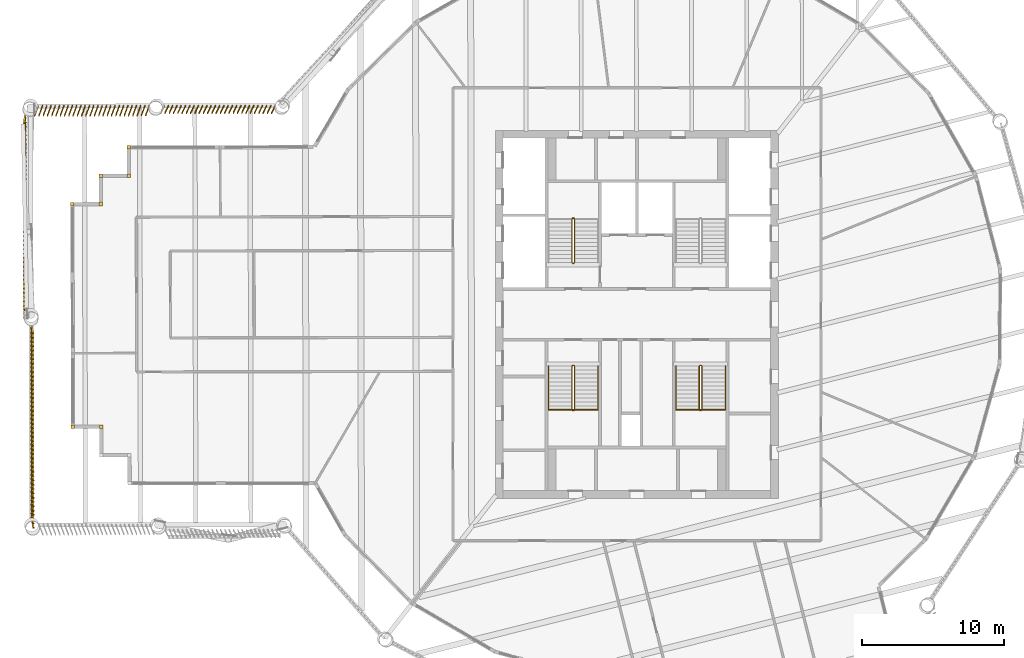
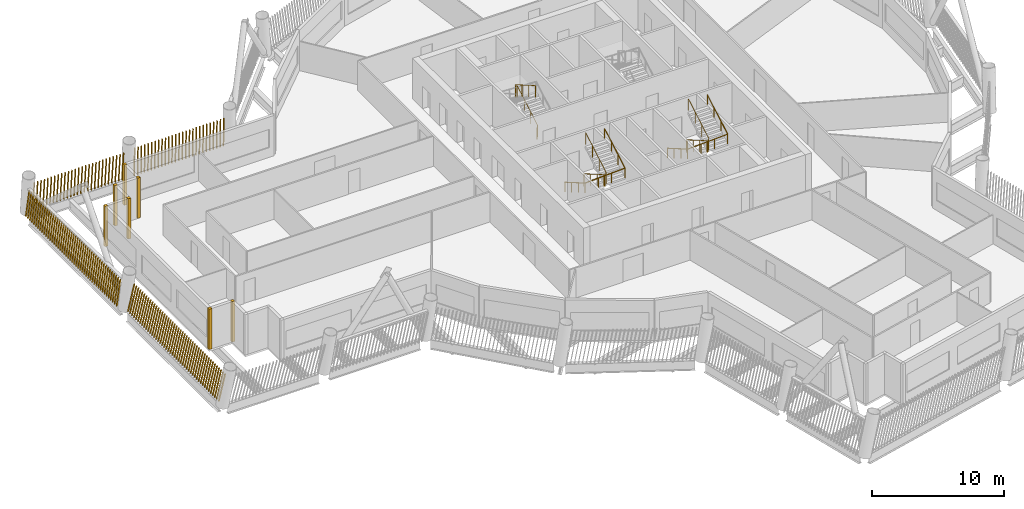
# One storey, part 19 of 22: 11 shading devices, 5 railings.
"""IFC4 building model written with IfcOpenShell, lengths in metres."""

from ifc_helpers import new_model, si_unit, direction, frame, frame_2d, origin, origin_2d, place, context, subcontext, project, spatial, rectangle, circle, composite_profile, extrude, material, type_object, element, save


model = new_model("IFC4")

# Units and contexts
model_context = context("Model", 3, precision=1e-05, world=origin(), true_north=direction((0.0, 1.0)))
body_context = subcontext(model_context, "Body", "Model", "MODEL_VIEW")
ifc_project = project(units=[si_unit("LENGTHUNIT", "METRE"), si_unit("AREAUNIT", "SQUARE_METRE"), si_unit("VOLUMEUNIT", "CUBIC_METRE"), si_unit("PLANEANGLEUNIT", "RADIAN"), si_unit("MASSUNIT", "GRAM", prefix="KILO")], contexts=[model_context])

# Site, building, storey
site_placement = place(None, origin())
site = spatial("IfcSite", under=ifc_project, at=site_placement, CompositionType="ELEMENT")
building_placement = place(site_placement, origin())
building = spatial("IfcBuilding", under=site, at=building_placement, Name="Tarsis Ring Headquarters", CompositionType="ELEMENT")
storey_placement = place(building_placement, frame((0.0, 0.0, 286.39990234375)))
storey = spatial("IfcBuildingStorey", under=building, at=storey_placement, Name="L67", CompositionType="ELEMENT", Elevation=286.39990234375)

# Railings
ifc_material_1 = material(Name="Steel S355", Category="steel")
railing_type_1 = type_object("IfcRailingType", Name="Core stair guard 1100", PredefinedType="GUARDRAIL", material=ifc_material_1)
railing_1_placement = place(storey_placement, frame((-4.5400390625, 3.610107421875, 0.0)))
element("IfcRailing", 1, at=railing_1_placement, inside=storey, type_object=railing_type_1, Name="L67 ST1 stair guard 1", PredefinedType="GUARDRAIL", context=body_context, shape_type="SweptSolid", body=[
    extrude(circle(Radius=0.02392578125, at=origin_2d()), frame((0.0, 0.0, 1.076171875), z_axis=(1.0, 0.0, 0.0), x_axis=(0.0, 1.0, 0.0)), (0.0, 0.0, 1.0), 0.080078125),
    extrude(circle(Radius=0.02392578125, at=origin_2d()), frame((0.080078125, 0.0, 1.076171875), z_axis=(0.282336740067, 0.280959487676, 0.917250092119), x_axis=(-0.705375805398, 0.708833529934, 0.0)), (0.0, 0.0, 1.0), 0.17724609375),
    extrude(circle(Radius=0.02392578125, at=origin_2d()), frame((0.130126953125, 0.0498046875, 1.23876953125), z_axis=(0.0, 0.864890721111, 0.501960198159), x_axis=(-1.0, 0.0, 0.0)), (0.0, 0.0, 1.0), 3.561279296875),
    extrude(circle(Radius=0.02392578125, at=origin_2d()), frame((0.130126953125, 3.1298828125, 3.0263671875), z_axis=(-0.707106781187, 0.707106781187, 0.0), x_axis=(-0.707106781187, -0.707106781187, 0.0)), (0.0, 0.0, 1.0), 0.07080078125),
    extrude(circle(Radius=0.02392578125, at=origin_2d()), frame((0.080078125, 3.179931640625, 3.0263671875), z_axis=(-1.0, 0.0, 0.0), x_axis=(0.0, -1.0, 0.0)), (0.0, 0.0, 1.0), 0.080078125),
    extrude(circle(Radius=0.02392578125, at=origin_2d()), frame((0.0, 3.179931640625, 3.0263671875), z_axis=(-0.282583949758, -0.282583949758, 0.916674763849), x_axis=(0.707106781187, -0.707106781187, 0.0)), (0.0, 0.0, 1.0), 0.177001953125),
    extrude(circle(Radius=0.02392578125, at=origin_2d()), frame((-0.050048828125, 3.1298828125, 3.1884765625), z_axis=(0.0, -0.864890721111, 0.501960198159), x_axis=(1.0, 0.0, 0.0)), (0.0, 0.0, 1.0), 3.561279296875),
    extrude(circle(Radius=0.02099609375, at=origin_2d()), origin(), (0.0, 0.0, 1.0), 1.052001953125),
    extrude(circle(Radius=0.02099609375, at=origin_2d()), frame((0.080078125, 0.0, 0.0)), (0.0, 0.0, 1.0), 1.052001953125),
    extrude(circle(Radius=0.02099609375, at=origin_2d()), frame((0.130126953125, 0.0498046875, 0.16259765625)), (0.0, 0.0, 1.0), 1.052001953125),
    extrude(circle(Radius=0.02099609375, at=origin_2d()), frame((0.130126953125, 1.076416015625, 0.758544921875)), (0.0, 0.0, 1.0), 1.052001953125),
    extrude(circle(Radius=0.02099609375, at=origin_2d()), frame((0.130126953125, 2.103271484375, 1.354248046875)), (0.0, 0.0, 1.0), 1.052001953125),
    extrude(circle(Radius=0.02099609375, at=origin_2d()), frame((0.130126953125, 3.1298828125, 1.9501953125)), (0.0, 0.0, 1.0), 1.052001953125),
    extrude(circle(Radius=0.02099609375, at=origin_2d()), frame((0.080078125, 3.179931640625, 1.9501953125)), (0.0, 0.0, 1.0), 1.052001953125),
    extrude(circle(Radius=0.02099609375, at=origin_2d()), frame((0.0, 3.179931640625, 1.9501953125)), (0.0, 0.0, 1.0), 1.052001953125),
    extrude(circle(Radius=0.02099609375, at=origin_2d()), frame((-0.050048828125, 3.1298828125, 2.112548828125)), (0.0, 0.0, 1.0), 1.052001953125),
    extrude(circle(Radius=0.02099609375, at=origin_2d()), frame((-0.050048828125, 2.103271484375, 2.70849609375)), (0.0, 0.0, 1.0), 1.052001953125),
    extrude(circle(Radius=0.02099609375, at=origin_2d()), frame((-0.050048828125, 1.076416015625, 3.30419921875)), (0.0, 0.0, 1.0), 1.052001953125),
    extrude(circle(Radius=0.02099609375, at=origin_2d()), frame((-0.050048828125, 0.0498046875, 3.900146484375)), (0.0, 0.0, 1.0), 1.052001953125),
])
railing_2_placement = place(storey_placement, frame((-4.4599609375, -3.610107421875, 0.0)))
element("IfcRailing", 2, at=railing_2_placement, inside=storey, type_object=railing_type_1, Name="L67 ST3 stair guard 1", PredefinedType="GUARDRAIL", context=body_context, shape_type="SweptSolid", body=[
    extrude(circle(Radius=0.02392578125, at=origin_2d()), frame((0.0, 0.0, 1.076171875), z_axis=(-1.0, 0.0, 0.0), x_axis=(0.0, -1.0, 0.0)), (0.0, 0.0, 1.0), 0.080078125),
    extrude(circle(Radius=0.02392578125, at=origin_2d()), frame((-0.080078125, 0.0, 1.076171875), z_axis=(-0.282336740067, -0.280959487676, 0.917250092119), x_axis=(0.705375805398, -0.708833529934, 0.0)), (0.0, 0.0, 1.0), 0.17724609375),
    extrude(circle(Radius=0.02392578125, at=origin_2d()), frame((-0.130126953125, -0.0498046875, 1.23876953125), z_axis=(0.0, -0.864890721111, 0.501960198159), x_axis=(1.0, 0.0, 0.0)), (0.0, 0.0, 1.0), 3.561279296875),
    extrude(circle(Radius=0.02392578125, at=origin_2d()), frame((-0.130126953125, -3.1298828125, 3.0263671875), z_axis=(0.707106781187, -0.707106781187, 0.0), x_axis=(0.707106781187, 0.707106781187, 0.0)), (0.0, 0.0, 1.0), 0.07080078125),
    extrude(circle(Radius=0.02392578125, at=origin_2d()), frame((-0.080078125, -3.179931640625, 3.0263671875), z_axis=(1.0, 0.0, 0.0), x_axis=(0.0, 1.0, 0.0)), (0.0, 0.0, 1.0), 0.080078125),
    extrude(circle(Radius=0.02392578125, at=origin_2d()), frame((0.0, -3.179931640625, 3.0263671875), z_axis=(0.282583949758, 0.282583949758, 0.916674763849), x_axis=(-0.707106781187, 0.707106781187, 0.0)), (0.0, 0.0, 1.0), 0.177001953125),
    extrude(circle(Radius=0.02392578125, at=origin_2d()), frame((0.050048828125, -3.1298828125, 3.1884765625), z_axis=(0.0, 0.864890721111, 0.501960198159), x_axis=(-1.0, 0.0, 0.0)), (0.0, 0.0, 1.0), 3.561279296875),
    extrude(circle(Radius=0.02099609375, at=origin_2d()), origin(), (0.0, 0.0, 1.0), 1.052001953125),
    extrude(circle(Radius=0.02099609375, at=origin_2d()), frame((-0.080078125, 0.0, 0.0)), (0.0, 0.0, 1.0), 1.052001953125),
    extrude(circle(Radius=0.02099609375, at=origin_2d()), frame((-0.130126953125, -0.0498046875, 0.16259765625)), (0.0, 0.0, 1.0), 1.052001953125),
    extrude(circle(Radius=0.02099609375, at=origin_2d()), frame((-0.130126953125, -1.076416015625, 0.758544921875)), (0.0, 0.0, 1.0), 1.052001953125),
    extrude(circle(Radius=0.02099609375, at=origin_2d()), frame((-0.130126953125, -2.103271484375, 1.354248046875)), (0.0, 0.0, 1.0), 1.052001953125),
    extrude(circle(Radius=0.02099609375, at=origin_2d()), frame((-0.130126953125, -3.1298828125, 1.9501953125)), (0.0, 0.0, 1.0), 1.052001953125),
    extrude(circle(Radius=0.02099609375, at=origin_2d()), frame((-0.080078125, -3.179931640625, 1.9501953125)), (0.0, 0.0, 1.0), 1.052001953125),
    extrude(circle(Radius=0.02099609375, at=origin_2d()), frame((0.0, -3.179931640625, 1.9501953125)), (0.0, 0.0, 1.0), 1.052001953125),
    extrude(circle(Radius=0.02099609375, at=origin_2d()), frame((0.050048828125, -3.1298828125, 2.112548828125)), (0.0, 0.0, 1.0), 1.052001953125),
    extrude(circle(Radius=0.02099609375, at=origin_2d()), frame((0.050048828125, -2.103271484375, 2.70849609375)), (0.0, 0.0, 1.0), 1.052001953125),
    extrude(circle(Radius=0.02099609375, at=origin_2d()), frame((0.050048828125, -1.076416015625, 3.30419921875)), (0.0, 0.0, 1.0), 1.052001953125),
    extrude(circle(Radius=0.02099609375, at=origin_2d()), frame((0.050048828125, -0.0498046875, 3.900146484375)), (0.0, 0.0, 1.0), 1.052001953125),
])
railing_3_placement = place(storey_placement, frame((4.5400390625, -3.610107421875, 0.0)))
element("IfcRailing", 3, at=railing_3_placement, inside=storey, type_object=railing_type_1, Name="L67 ST4 stair guard 1", PredefinedType="GUARDRAIL", context=body_context, shape_type="SweptSolid", body=[
    extrude(circle(Radius=0.02392578125, at=origin_2d()), frame((0.0, 0.0, 1.076171875), z_axis=(-1.0, 0.0, 0.0), x_axis=(0.0, -1.0, 0.0)), (0.0, 0.0, 1.0), 0.080078125),
    extrude(circle(Radius=0.02392578125, at=origin_2d()), frame((-0.080078125, 0.0, 1.076171875), z_axis=(-0.282336740067, -0.280959487676, 0.917250092119), x_axis=(0.705375805398, -0.708833529934, 0.0)), (0.0, 0.0, 1.0), 0.17724609375),
    extrude(circle(Radius=0.02392578125, at=origin_2d()), frame((-0.130126953125, -0.0498046875, 1.23876953125), z_axis=(0.0, -0.864890721111, 0.501960198159), x_axis=(1.0, 0.0, 0.0)), (0.0, 0.0, 1.0), 3.561279296875),
    extrude(circle(Radius=0.02392578125, at=origin_2d()), frame((-0.130126953125, -3.1298828125, 3.0263671875), z_axis=(0.707106781187, -0.707106781187, 0.0), x_axis=(0.707106781187, 0.707106781187, 0.0)), (0.0, 0.0, 1.0), 0.07080078125),
    extrude(circle(Radius=0.02392578125, at=origin_2d()), frame((-0.080078125, -3.179931640625, 3.0263671875), z_axis=(1.0, 0.0, 0.0), x_axis=(0.0, 1.0, 0.0)), (0.0, 0.0, 1.0), 0.080078125),
    extrude(circle(Radius=0.02392578125, at=origin_2d()), frame((0.0, -3.179931640625, 3.0263671875), z_axis=(0.282583949758, 0.282583949758, 0.916674763849), x_axis=(-0.707106781187, 0.707106781187, 0.0)), (0.0, 0.0, 1.0), 0.177001953125),
    extrude(circle(Radius=0.02392578125, at=origin_2d()), frame((0.050048828125, -3.1298828125, 3.1884765625), z_axis=(0.0, 0.864890721111, 0.501960198159), x_axis=(-1.0, 0.0, 0.0)), (0.0, 0.0, 1.0), 3.561279296875),
    extrude(circle(Radius=0.02099609375, at=origin_2d()), origin(), (0.0, 0.0, 1.0), 1.052001953125),
    extrude(circle(Radius=0.02099609375, at=origin_2d()), frame((-0.080078125, 0.0, 0.0)), (0.0, 0.0, 1.0), 1.052001953125),
    extrude(circle(Radius=0.02099609375, at=origin_2d()), frame((-0.130126953125, -0.0498046875, 0.16259765625)), (0.0, 0.0, 1.0), 1.052001953125),
    extrude(circle(Radius=0.02099609375, at=origin_2d()), frame((-0.130126953125, -1.076416015625, 0.758544921875)), (0.0, 0.0, 1.0), 1.052001953125),
    extrude(circle(Radius=0.02099609375, at=origin_2d()), frame((-0.130126953125, -2.103271484375, 1.354248046875)), (0.0, 0.0, 1.0), 1.052001953125),
    extrude(circle(Radius=0.02099609375, at=origin_2d()), frame((-0.130126953125, -3.1298828125, 1.9501953125)), (0.0, 0.0, 1.0), 1.052001953125),
    extrude(circle(Radius=0.02099609375, at=origin_2d()), frame((-0.080078125, -3.179931640625, 1.9501953125)), (0.0, 0.0, 1.0), 1.052001953125),
    extrude(circle(Radius=0.02099609375, at=origin_2d()), frame((0.0, -3.179931640625, 1.9501953125)), (0.0, 0.0, 1.0), 1.052001953125),
    extrude(circle(Radius=0.02099609375, at=origin_2d()), frame((0.050048828125, -3.1298828125, 2.112548828125)), (0.0, 0.0, 1.0), 1.052001953125),
    extrude(circle(Radius=0.02099609375, at=origin_2d()), frame((0.050048828125, -2.103271484375, 2.70849609375)), (0.0, 0.0, 1.0), 1.052001953125),
    extrude(circle(Radius=0.02099609375, at=origin_2d()), frame((0.050048828125, -1.076416015625, 3.30419921875)), (0.0, 0.0, 1.0), 1.052001953125),
    extrude(circle(Radius=0.02099609375, at=origin_2d()), frame((0.050048828125, -0.0498046875, 3.900146484375)), (0.0, 0.0, 1.0), 1.052001953125),
])
railing_type_2 = type_object("IfcRailingType", Name="Core stair handrail 900", PredefinedType="HANDRAIL", material=ifc_material_1)
railing_4_placement = place(storey_placement, frame((-6.25, -3.659912109375, 0.16259765625)))
element("IfcRailing", 4, at=railing_4_placement, inside=storey, type_object=railing_type_2, Name="L67 ST3 stair handrail 1", PredefinedType="HANDRAIL", context=body_context, shape_type="SweptSolid", body=[
    extrude(circle(Radius=0.02392578125, at=origin_2d()), frame((0.0, 0.0, 0.8759765625), z_axis=(0.0, -0.864890721111, 0.501960198159), x_axis=(1.0, 0.0, 0.0)), (0.0, 0.0, 1.0), 3.561279296875),
    extrude(circle(Radius=0.02392578125, at=origin_2d()), frame((0.0, -3.080078125, 2.66357421875), z_axis=(0.998925869279, 0.0, 0.04633689335), x_axis=(0.0, 1.0, 0.0)), (0.0, 0.0, 1.0), 3.503662109375),
    extrude(circle(Radius=0.02392578125, at=origin_2d()), frame((3.5, -3.080078125, 2.82568359375), z_axis=(0.0, 0.864890721111, 0.501960198159), x_axis=(-1.0, 0.0, 0.0)), (0.0, 0.0, 1.0), 3.561279296875),
    extrude(circle(Radius=0.02099609375, at=origin_2d()), origin(), (0.0, 0.0, 1.0), 0.851806640625),
    extrude(circle(Radius=0.02099609375, at=origin_2d()), frame((0.0, -1.026611328125, 0.595947265625)), (0.0, 0.0, 1.0), 0.851806640625),
    extrude(circle(Radius=0.02099609375, at=origin_2d()), frame((0.0, -2.053466796875, 1.191650390625)), (0.0, 0.0, 1.0), 0.851806640625),
    extrude(circle(Radius=0.02099609375, at=origin_2d()), frame((0.0, -3.080078125, 1.78759765625)), (0.0, 0.0, 1.0), 0.851806640625),
    extrude(circle(Radius=0.02099609375, at=origin_2d()), frame((1.166748046875, -3.080078125, 1.841796875)), (0.0, 0.0, 1.0), 0.851806640625),
    extrude(circle(Radius=0.02099609375, at=origin_2d()), frame((2.333251953125, -3.080078125, 1.895751953125)), (0.0, 0.0, 1.0), 0.851806640625),
    extrude(circle(Radius=0.02099609375, at=origin_2d()), frame((3.5, -3.080078125, 1.949951171875)), (0.0, 0.0, 1.0), 0.851806640625),
    extrude(circle(Radius=0.02099609375, at=origin_2d()), frame((3.5, -2.053466796875, 2.5458984375)), (0.0, 0.0, 1.0), 0.851806640625),
    extrude(circle(Radius=0.02099609375, at=origin_2d()), frame((3.5, -1.026611328125, 3.1416015625)), (0.0, 0.0, 1.0), 0.851806640625),
    extrude(circle(Radius=0.02099609375, at=origin_2d()), frame((3.5, 0.0, 3.737548828125)), (0.0, 0.0, 1.0), 0.851806640625),
])
railing_5_placement = place(storey_placement, frame((2.75, -3.659912109375, 0.16259765625)))
element("IfcRailing", 5, at=railing_5_placement, inside=storey, type_object=railing_type_2, Name="L67 ST4 stair handrail 1", PredefinedType="HANDRAIL", context=body_context, shape_type="SweptSolid", body=[
    extrude(circle(Radius=0.02392578125, at=origin_2d()), frame((0.0, 0.0, 0.8759765625), z_axis=(0.0, -0.864890721111, 0.501960198159), x_axis=(1.0, 0.0, 0.0)), (0.0, 0.0, 1.0), 3.561279296875),
    extrude(circle(Radius=0.02392578125, at=origin_2d()), frame((0.0, -3.080078125, 2.66357421875), z_axis=(0.998925869279, 0.0, 0.04633689335), x_axis=(0.0, 1.0, 0.0)), (0.0, 0.0, 1.0), 3.503662109375),
    extrude(circle(Radius=0.02392578125, at=origin_2d()), frame((3.5, -3.080078125, 2.82568359375), z_axis=(0.0, 0.864890721111, 0.501960198159), x_axis=(-1.0, 0.0, 0.0)), (0.0, 0.0, 1.0), 3.561279296875),
    extrude(circle(Radius=0.02099609375, at=origin_2d()), origin(), (0.0, 0.0, 1.0), 0.851806640625),
    extrude(circle(Radius=0.02099609375, at=origin_2d()), frame((0.0, -1.026611328125, 0.595947265625)), (0.0, 0.0, 1.0), 0.851806640625),
    extrude(circle(Radius=0.02099609375, at=origin_2d()), frame((0.0, -2.053466796875, 1.191650390625)), (0.0, 0.0, 1.0), 0.851806640625),
    extrude(circle(Radius=0.02099609375, at=origin_2d()), frame((0.0, -3.080078125, 1.78759765625)), (0.0, 0.0, 1.0), 0.851806640625),
    extrude(circle(Radius=0.02099609375, at=origin_2d()), frame((1.166748046875, -3.080078125, 1.841796875)), (0.0, 0.0, 1.0), 0.851806640625),
    extrude(circle(Radius=0.02099609375, at=origin_2d()), frame((2.333251953125, -3.080078125, 1.895751953125)), (0.0, 0.0, 1.0), 0.851806640625),
    extrude(circle(Radius=0.02099609375, at=origin_2d()), frame((3.5, -3.080078125, 1.949951171875)), (0.0, 0.0, 1.0), 0.851806640625),
    extrude(circle(Radius=0.02099609375, at=origin_2d()), frame((3.5, -2.053466796875, 2.5458984375)), (0.0, 0.0, 1.0), 0.851806640625),
    extrude(circle(Radius=0.02099609375, at=origin_2d()), frame((3.5, -1.026611328125, 3.1416015625)), (0.0, 0.0, 1.0), 0.851806640625),
    extrude(circle(Radius=0.02099609375, at=origin_2d()), frame((3.5, 0.0, 3.737548828125)), (0.0, 0.0, 1.0), 0.851806640625),
])

# Shading devices
ifc_material_2 = material(Name="Terracotta baguette", Category="masonry")
shading_device_type_1 = type_object("IfcShadingDeviceType", Name="Terracotta baguette screen", PredefinedType="USERDEFINED", material=ifc_material_2)
shading_device_1_placement = place(storey_placement, frame((-25.5263671875, 14.74658203125, 0.0), z_axis=(0.0, 0.0, 1.0), x_axis=(-1.0, -0.002100840336, 0.0)))
element("IfcShadingDevice", 6, at=shading_device_1_placement, inside=storey, type_object=shading_device_type_1, Name="Baguette screen L67-15", ObjectType="Terracotta baguette screen", PredefinedType="USERDEFINED", context=body_context, shape_type="SweptSolid", body=[
    extrude(composite_profile([rectangle(XDim=0.06005859375, YDim=0.1201171875, at=frame_2d((0.030029296875, 0.0))), rectangle(XDim=0.06005859375, YDim=0.1201171875, at=frame_2d((0.33154296875, 0.0))), rectangle(XDim=0.06005859375, YDim=0.1201171875, at=frame_2d((0.63330078125, 0.0))), rectangle(XDim=0.06005859375, YDim=0.1201171875, at=frame_2d((0.934814453125, 0.0))), rectangle(XDim=0.06005859375, YDim=0.1201171875, at=frame_2d((1.236572265625, 0.0))), rectangle(XDim=0.06005859375, YDim=0.1201171875, at=frame_2d((1.5380859375, 0.0))), rectangle(XDim=0.06005859375, YDim=0.1201171875, at=frame_2d((1.83984375, 0.0))), rectangle(XDim=0.06005859375, YDim=0.1201171875, at=frame_2d((2.141357421875, 0.0))), rectangle(XDim=0.06005859375, YDim=0.1201171875, at=frame_2d((2.443115234375, 0.0))), rectangle(XDim=0.06005859375, YDim=0.1201171875, at=frame_2d((2.74462890625, 0.0))), rectangle(XDim=0.06005859375, YDim=0.1201171875, at=frame_2d((3.04638671875, 0.0))), rectangle(XDim=0.06005859375, YDim=0.1201171875, at=frame_2d((3.347900390625, 0.0))), rectangle(XDim=0.06005859375, YDim=0.1201171875, at=frame_2d((3.649658203125, 0.0))), rectangle(XDim=0.06005859375, YDim=0.1201171875, at=frame_2d((3.951171875, 0.0))), rectangle(XDim=0.06005859375, YDim=0.1201171875, at=frame_2d((4.252685546875, 0.0))), rectangle(XDim=0.06005859375, YDim=0.1201171875, at=frame_2d((4.554443359375, 0.0))), rectangle(XDim=0.06005859375, YDim=0.1201171875, at=frame_2d((4.85595703125, 0.0))), rectangle(XDim=0.06005859375, YDim=0.1201171875, at=frame_2d((5.15771484375, 0.0))), rectangle(XDim=0.06005859375, YDim=0.1201171875, at=frame_2d((5.459228515625, 0.0))), rectangle(XDim=0.06005859375, YDim=0.1201171875, at=frame_2d((5.760986328125, 0.0))), rectangle(XDim=0.06005859375, YDim=0.1201171875, at=frame_2d((6.0625, 0.0))), rectangle(XDim=0.06005859375, YDim=0.1201171875, at=frame_2d((6.3642578125, 0.0))), rectangle(XDim=0.06005859375, YDim=0.1201171875, at=frame_2d((6.665771484375, 0.0))), rectangle(XDim=0.06005859375, YDim=0.1201171875, at=frame_2d((6.967529296875, 0.0))), rectangle(XDim=0.06005859375, YDim=0.1201171875, at=frame_2d((7.26904296875, 0.0))), rectangle(XDim=0.06005859375, YDim=0.1201171875, at=frame_2d((7.57080078125, 0.0))), rectangle(XDim=0.06005859375, YDim=0.1201171875, at=frame_2d((7.872314453125, 0.0)))]), origin(), (0.08395479341, 0.17073372441, 0.981733970082), 3.023193359375),
])
shading_device_2_placement = place(storey_placement, frame((-34.4287109375, 14.72802734375, 0.0), z_axis=(0.0, 0.0, 1.0), x_axis=(-1.0, -0.002100905243, 0.0)))
element("IfcShadingDevice", 7, at=shading_device_2_placement, inside=storey, type_object=shading_device_type_1, Name="Baguette screen L67-16", ObjectType="Terracotta baguette screen", PredefinedType="USERDEFINED", context=body_context, shape_type="SweptSolid", body=[
    extrude(composite_profile([rectangle(XDim=0.06005859375, YDim=0.1201171875, at=frame_2d((0.030029296875, 0.0))), rectangle(XDim=0.06005859375, YDim=0.1201171875, at=frame_2d((0.33154296875, 0.0))), rectangle(XDim=0.06005859375, YDim=0.1201171875, at=frame_2d((0.63330078125, 0.0))), rectangle(XDim=0.06005859375, YDim=0.1201171875, at=frame_2d((0.934814453125, 0.0))), rectangle(XDim=0.06005859375, YDim=0.1201171875, at=frame_2d((1.236572265625, 0.0))), rectangle(XDim=0.06005859375, YDim=0.1201171875, at=frame_2d((1.5380859375, 0.0))), rectangle(XDim=0.06005859375, YDim=0.1201171875, at=frame_2d((1.83984375, 0.0))), rectangle(XDim=0.06005859375, YDim=0.1201171875, at=frame_2d((2.141357421875, 0.0))), rectangle(XDim=0.06005859375, YDim=0.1201171875, at=frame_2d((2.443115234375, 0.0))), rectangle(XDim=0.06005859375, YDim=0.1201171875, at=frame_2d((2.74462890625, 0.0))), rectangle(XDim=0.06005859375, YDim=0.1201171875, at=frame_2d((3.04638671875, 0.0))), rectangle(XDim=0.06005859375, YDim=0.1201171875, at=frame_2d((3.347900390625, 0.0))), rectangle(XDim=0.06005859375, YDim=0.1201171875, at=frame_2d((3.649658203125, 0.0))), rectangle(XDim=0.06005859375, YDim=0.1201171875, at=frame_2d((3.951171875, 0.0))), rectangle(XDim=0.06005859375, YDim=0.1201171875, at=frame_2d((4.252685546875, 0.0))), rectangle(XDim=0.06005859375, YDim=0.1201171875, at=frame_2d((4.554443359375, 0.0))), rectangle(XDim=0.06005859375, YDim=0.1201171875, at=frame_2d((4.85595703125, 0.0))), rectangle(XDim=0.06005859375, YDim=0.1201171875, at=frame_2d((5.15771484375, 0.0))), rectangle(XDim=0.06005859375, YDim=0.1201171875, at=frame_2d((5.459228515625, 0.0))), rectangle(XDim=0.06005859375, YDim=0.1201171875, at=frame_2d((5.760986328125, 0.0))), rectangle(XDim=0.06005859375, YDim=0.1201171875, at=frame_2d((6.0625, 0.0))), rectangle(XDim=0.06005859375, YDim=0.1201171875, at=frame_2d((6.3642578125, 0.0))), rectangle(XDim=0.06005859375, YDim=0.1201171875, at=frame_2d((6.665771484375, 0.0))), rectangle(XDim=0.06005859375, YDim=0.1201171875, at=frame_2d((6.967529296875, 0.0))), rectangle(XDim=0.06005859375, YDim=0.1201171875, at=frame_2d((7.26904296875, 0.0))), rectangle(XDim=0.06005859375, YDim=0.1201171875, at=frame_2d((7.57080078125, 0.0))), rectangle(XDim=0.06005859375, YDim=0.1201171875, at=frame_2d((7.872314453125, 0.0)))]), origin(), (0.082679052051, 0.219923049664, 0.972007215291), 3.053466796875),
])
shading_device_3_placement = place(storey_placement, frame((-43.204833984375, 14.20947265625, 0.0), z_axis=(0.0, 0.0, 1.0), x_axis=(0.002087608803, -1.0, 0.0)))
element("IfcShadingDevice", 8, at=shading_device_3_placement, inside=storey, type_object=shading_device_type_1, Name="Baguette screen L67-17", ObjectType="Terracotta baguette screen", PredefinedType="USERDEFINED", context=body_context, shape_type="SweptSolid", body=[
    extrude(composite_profile([rectangle(XDim=0.06005859375, YDim=0.1201171875, at=frame_2d((0.030029296875, 0.0))), rectangle(XDim=0.06005859375, YDim=0.1201171875, at=frame_2d((0.33544921875, 0.0))), rectangle(XDim=0.06005859375, YDim=0.1201171875, at=frame_2d((0.640625, 0.0))), rectangle(XDim=0.06005859375, YDim=0.1201171875, at=frame_2d((0.946044921875, 0.0))), rectangle(XDim=0.06005859375, YDim=0.1201171875, at=frame_2d((1.25146484375, 0.0))), rectangle(XDim=0.06005859375, YDim=0.1201171875, at=frame_2d((1.556640625, 0.0))), rectangle(XDim=0.06005859375, YDim=0.1201171875, at=frame_2d((1.862060546875, 0.0))), rectangle(XDim=0.06005859375, YDim=0.1201171875, at=frame_2d((2.16748046875, 0.0))), rectangle(XDim=0.06005859375, YDim=0.1201171875, at=frame_2d((2.47265625, 0.0))), rectangle(XDim=0.06005859375, YDim=0.1201171875, at=frame_2d((2.778076171875, 0.0))), rectangle(XDim=0.06005859375, YDim=0.1201171875, at=frame_2d((3.08349609375, 0.0))), rectangle(XDim=0.06005859375, YDim=0.1201171875, at=frame_2d((3.388671875, 0.0))), rectangle(XDim=0.06005859375, YDim=0.1201171875, at=frame_2d((3.694091796875, 0.0))), rectangle(XDim=0.06005859375, YDim=0.1201171875, at=frame_2d((3.99951171875, 0.0))), rectangle(XDim=0.06005859375, YDim=0.1201171875, at=frame_2d((4.3046875, 0.0))), rectangle(XDim=0.06005859375, YDim=0.1201171875, at=frame_2d((4.610107421875, 0.0))), rectangle(XDim=0.06005859375, YDim=0.1201171875, at=frame_2d((4.91552734375, 0.0))), rectangle(XDim=0.06005859375, YDim=0.1201171875, at=frame_2d((5.220703125, 0.0))), rectangle(XDim=0.06005859375, YDim=0.1201171875, at=frame_2d((5.526123046875, 0.0))), rectangle(XDim=0.06005859375, YDim=0.1201171875, at=frame_2d((5.83154296875, 0.0))), rectangle(XDim=0.06005859375, YDim=0.1201171875, at=frame_2d((6.13671875, 0.0))), rectangle(XDim=0.06005859375, YDim=0.1201171875, at=frame_2d((6.442138671875, 0.0))), rectangle(XDim=0.06005859375, YDim=0.1201171875, at=frame_2d((6.74755859375, 0.0))), rectangle(XDim=0.06005859375, YDim=0.1201171875, at=frame_2d((7.052734375, 0.0))), rectangle(XDim=0.06005859375, YDim=0.1201171875, at=frame_2d((7.358154296875, 0.0))), rectangle(XDim=0.06005859375, YDim=0.1201171875, at=frame_2d((7.66357421875, 0.0))), rectangle(XDim=0.06005859375, YDim=0.1201171875, at=frame_2d((7.96875, 0.0))), rectangle(XDim=0.06005859375, YDim=0.1201171875, at=frame_2d((8.274169921875, 0.0))), rectangle(XDim=0.06005859375, YDim=0.1201171875, at=frame_2d((8.57958984375, 0.0))), rectangle(XDim=0.06005859375, YDim=0.1201171875, at=frame_2d((8.884765625, 0.0))), rectangle(XDim=0.06005859375, YDim=0.1201171875, at=frame_2d((9.190185546875, 0.0))), rectangle(XDim=0.06005859375, YDim=0.1201171875, at=frame_2d((9.49560546875, 0.0))), rectangle(XDim=0.06005859375, YDim=0.1201171875, at=frame_2d((9.80078125, 0.0))), rectangle(XDim=0.06005859375, YDim=0.1201171875, at=frame_2d((10.106201171875, 0.0))), rectangle(XDim=0.06005859375, YDim=0.1201171875, at=frame_2d((10.41162109375, 0.0))), rectangle(XDim=0.06005859375, YDim=0.1201171875, at=frame_2d((10.716796875, 0.0))), rectangle(XDim=0.06005859375, YDim=0.1201171875, at=frame_2d((11.022216796875, 0.0))), rectangle(XDim=0.06005859375, YDim=0.1201171875, at=frame_2d((11.32763671875, 0.0))), rectangle(XDim=0.06005859375, YDim=0.1201171875, at=frame_2d((11.6328125, 0.0))), rectangle(XDim=0.06005859375, YDim=0.1201171875, at=frame_2d((11.938232421875, 0.0))), rectangle(XDim=0.06005859375, YDim=0.1201171875, at=frame_2d((12.24365234375, 0.0))), rectangle(XDim=0.06005859375, YDim=0.1201171875, at=frame_2d((12.548828125, 0.0))), rectangle(XDim=0.06005859375, YDim=0.1201171875, at=frame_2d((12.854248046875, 0.0))), rectangle(XDim=0.06005859375, YDim=0.1201171875, at=frame_2d((13.15966796875, 0.0))), rectangle(XDim=0.06005859375, YDim=0.1201171875, at=frame_2d((13.46484375, 0.0))), rectangle(XDim=0.06005859375, YDim=0.1201171875, at=frame_2d((13.770263671875, 0.0)))]), origin(), (0.246219044901, -0.039990474929, 0.968388839177), 3.06494140625),
])
shading_device_4_placement = place(storey_placement, frame((-42.798828125, -0.589599609375, 0.0), z_axis=(0.0, 0.0, 1.0), x_axis=(0.002087571871, -1.0, 0.0)))
element("IfcShadingDevice", 9, at=shading_device_4_placement, inside=storey, type_object=shading_device_type_1, Name="Baguette screen L67-18", ObjectType="Terracotta baguette screen", PredefinedType="USERDEFINED", context=body_context, shape_type="SweptSolid", body=[
    extrude(composite_profile([rectangle(XDim=0.06005859375, YDim=0.1201171875, at=frame_2d((0.030029296875, 0.0))), rectangle(XDim=0.06005859375, YDim=0.1201171875, at=frame_2d((0.33544921875, 0.0))), rectangle(XDim=0.06005859375, YDim=0.1201171875, at=frame_2d((0.640625, 0.0))), rectangle(XDim=0.06005859375, YDim=0.1201171875, at=frame_2d((0.946044921875, 0.0))), rectangle(XDim=0.06005859375, YDim=0.1201171875, at=frame_2d((1.25146484375, 0.0))), rectangle(XDim=0.06005859375, YDim=0.1201171875, at=frame_2d((1.556640625, 0.0))), rectangle(XDim=0.06005859375, YDim=0.1201171875, at=frame_2d((1.862060546875, 0.0))), rectangle(XDim=0.06005859375, YDim=0.1201171875, at=frame_2d((2.16748046875, 0.0))), rectangle(XDim=0.06005859375, YDim=0.1201171875, at=frame_2d((2.47265625, 0.0))), rectangle(XDim=0.06005859375, YDim=0.1201171875, at=frame_2d((2.778076171875, 0.0))), rectangle(XDim=0.06005859375, YDim=0.1201171875, at=frame_2d((3.08349609375, 0.0))), rectangle(XDim=0.06005859375, YDim=0.1201171875, at=frame_2d((3.388671875, 0.0))), rectangle(XDim=0.06005859375, YDim=0.1201171875, at=frame_2d((3.694091796875, 0.0))), rectangle(XDim=0.06005859375, YDim=0.1201171875, at=frame_2d((3.99951171875, 0.0))), rectangle(XDim=0.06005859375, YDim=0.1201171875, at=frame_2d((4.3046875, 0.0))), rectangle(XDim=0.06005859375, YDim=0.1201171875, at=frame_2d((4.610107421875, 0.0))), rectangle(XDim=0.06005859375, YDim=0.1201171875, at=frame_2d((4.91552734375, 0.0))), rectangle(XDim=0.06005859375, YDim=0.1201171875, at=frame_2d((5.220703125, 0.0))), rectangle(XDim=0.06005859375, YDim=0.1201171875, at=frame_2d((5.526123046875, 0.0))), rectangle(XDim=0.06005859375, YDim=0.1201171875, at=frame_2d((5.83154296875, 0.0))), rectangle(XDim=0.06005859375, YDim=0.1201171875, at=frame_2d((6.13671875, 0.0))), rectangle(XDim=0.06005859375, YDim=0.1201171875, at=frame_2d((6.442138671875, 0.0))), rectangle(XDim=0.06005859375, YDim=0.1201171875, at=frame_2d((6.74755859375, 0.0))), rectangle(XDim=0.06005859375, YDim=0.1201171875, at=frame_2d((7.052734375, 0.0))), rectangle(XDim=0.06005859375, YDim=0.1201171875, at=frame_2d((7.358154296875, 0.0))), rectangle(XDim=0.06005859375, YDim=0.1201171875, at=frame_2d((7.66357421875, 0.0))), rectangle(XDim=0.06005859375, YDim=0.1201171875, at=frame_2d((7.96875, 0.0))), rectangle(XDim=0.06005859375, YDim=0.1201171875, at=frame_2d((8.274169921875, 0.0))), rectangle(XDim=0.06005859375, YDim=0.1201171875, at=frame_2d((8.57958984375, 0.0))), rectangle(XDim=0.06005859375, YDim=0.1201171875, at=frame_2d((8.884765625, 0.0))), rectangle(XDim=0.06005859375, YDim=0.1201171875, at=frame_2d((9.190185546875, 0.0))), rectangle(XDim=0.06005859375, YDim=0.1201171875, at=frame_2d((9.49560546875, 0.0))), rectangle(XDim=0.06005859375, YDim=0.1201171875, at=frame_2d((9.80078125, 0.0))), rectangle(XDim=0.06005859375, YDim=0.1201171875, at=frame_2d((10.106201171875, 0.0))), rectangle(XDim=0.06005859375, YDim=0.1201171875, at=frame_2d((10.41162109375, 0.0))), rectangle(XDim=0.06005859375, YDim=0.1201171875, at=frame_2d((10.716796875, 0.0))), rectangle(XDim=0.06005859375, YDim=0.1201171875, at=frame_2d((11.022216796875, 0.0))), rectangle(XDim=0.06005859375, YDim=0.1201171875, at=frame_2d((11.32763671875, 0.0))), rectangle(XDim=0.06005859375, YDim=0.1201171875, at=frame_2d((11.6328125, 0.0))), rectangle(XDim=0.06005859375, YDim=0.1201171875, at=frame_2d((11.938232421875, 0.0))), rectangle(XDim=0.06005859375, YDim=0.1201171875, at=frame_2d((12.24365234375, 0.0))), rectangle(XDim=0.06005859375, YDim=0.1201171875, at=frame_2d((12.548828125, 0.0))), rectangle(XDim=0.06005859375, YDim=0.1201171875, at=frame_2d((12.854248046875, 0.0))), rectangle(XDim=0.06005859375, YDim=0.1201171875, at=frame_2d((13.15966796875, 0.0))), rectangle(XDim=0.06005859375, YDim=0.1201171875, at=frame_2d((13.46484375, 0.0))), rectangle(XDim=0.06005859375, YDim=0.1201171875, at=frame_2d((13.770263671875, 0.0)))]), origin(), (0.243474834978, 0.044289363997, 0.968895482996), 3.063232421875),
])
shading_device_type_2 = type_object("IfcShadingDeviceType", Name="Terracotta corner baguette 250x250", PredefinedType="USERDEFINED", material=ifc_material_2)
for number, where, z_axis, x_axis, name in (
    (10, (-35.89990234375, 11.7998046875, 0.0), (0.0, 0.0, 1.0), (-0.999997806755, -0.002094393571, 0.0), "Corner baguette L67-32"),
    (11, (-35.8955078125, 9.7998046875, 0.0), (0.0, 0.0, 1.0), (0.002094498291, -0.999997806536, 0.0), "Corner baguette L67-33"),
    (12, (-37.8955078125, 9.795654296875, 0.0), (0.0, 0.0, 1.0), (-0.999997805476, -0.002095004435, 0.0), "Corner baguette L67-34"),
    (13, (-37.891357421875, 7.795654296875, 0.0), (0.0, 0.0, 1.0), (0.002095004435, -0.999997805476, 0.0), "Corner baguette L67-35"),
    (14, (-39.891357421875, 7.79150390625, 0.0), (0.0, 0.0, 1.0), (-0.999997807596, -0.002093992146, 0.0), "Corner baguette L67-36"),
    (15, (-39.8583984375, -7.95849609375, 0.0), (0.0, 0.0, 1.0), (0.002094376118, -0.999997806792, 0.0), "Corner baguette L67-37"),
    (16, (-37.8583984375, -7.954345703125, 0.0), (0.0, 0.0, 1.0), (0.999997806536, 0.002094498291, 0.0), "Corner baguette L67-38"),
):
    element("IfcShadingDevice", number, at=place(storey_placement, frame(where, z_axis=z_axis, x_axis=x_axis)), inside=storey, type_object=shading_device_type_2, Name=name, ObjectType="Terracotta corner baguette", PredefinedType="USERDEFINED", context=body_context, shape_type="SweptSolid", body=[
        extrude(rectangle(XDim=0.25, YDim=0.25, at=origin_2d()), origin(), (0.0, 0.0, 1.0), 3.739990234375),
    ])

save(model, "model.ifc")
